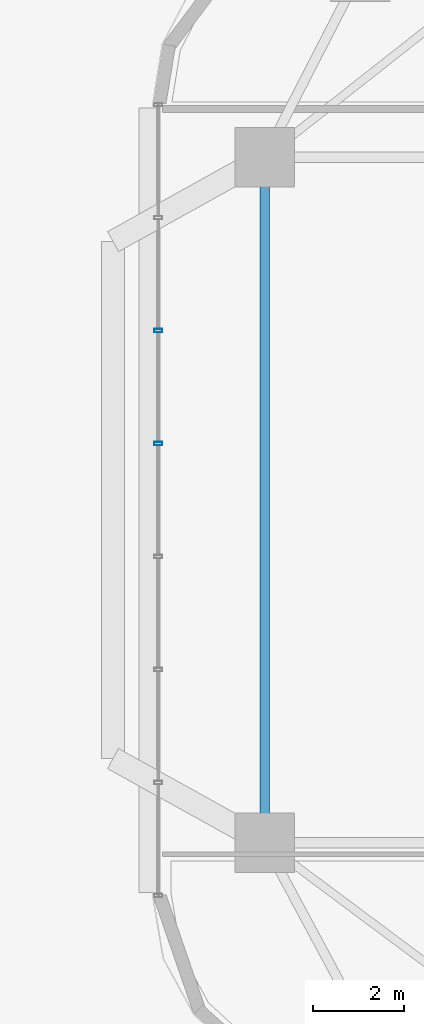
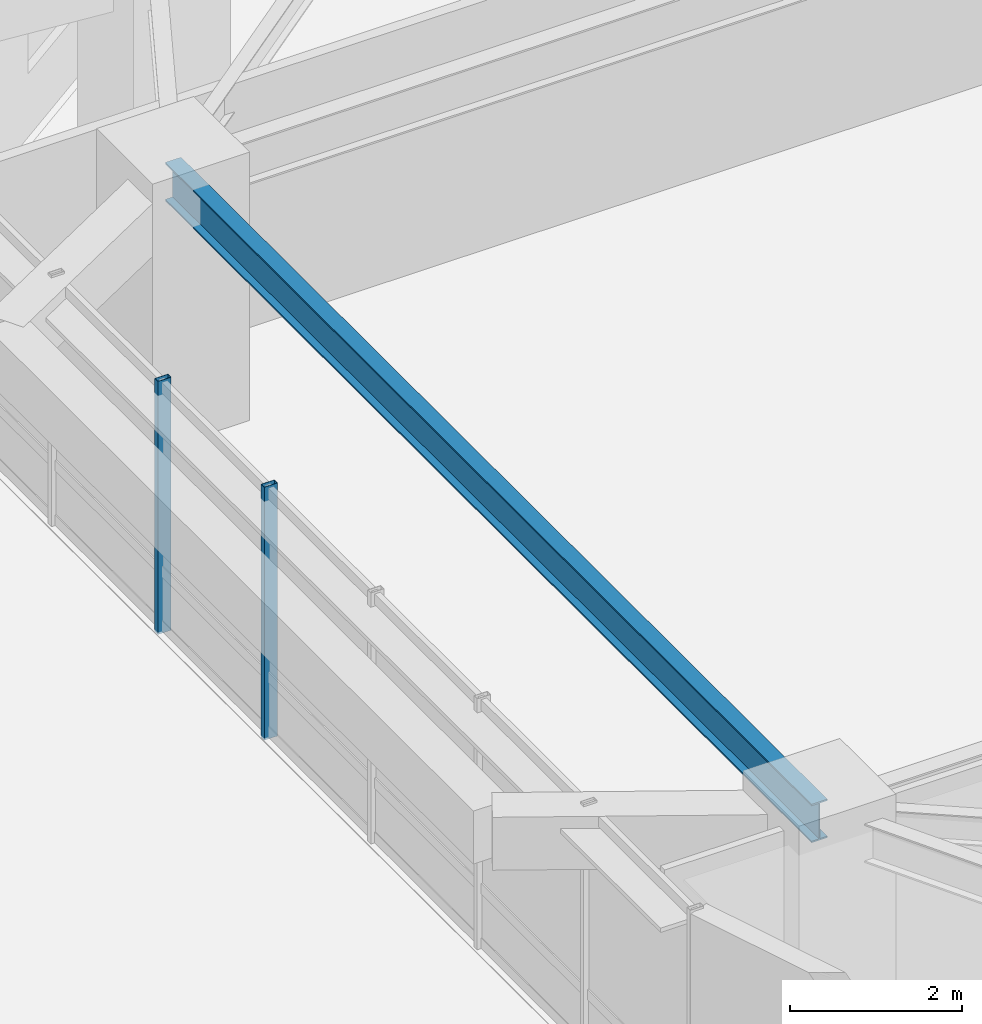
# One storey, part 4 of 20: 2 members, 1 beam, 1 element without a shape of its own.
"""IFC4 building model written with IfcOpenShell, lengths in metres."""

from ifc_helpers import new_model, si_unit, direction, frame, origin, origin_2d, place, context, subcontext, project, spatial, hollow_rectangle, i_section, extrude, material, material_profile, profile_set, type_object, element, aggregate, save


model = new_model("IFC4")

# Units and contexts
model_context = context("Model", 3, precision=1e-05, world=origin(), true_north=direction((0.0, 1.0)))
body_context = subcontext(model_context, "Body", "Model", "MODEL_VIEW")
ifc_project = project(units=[si_unit("LENGTHUNIT", "METRE"), si_unit("AREAUNIT", "SQUARE_METRE"), si_unit("VOLUMEUNIT", "CUBIC_METRE"), si_unit("PLANEANGLEUNIT", "RADIAN"), si_unit("MASSUNIT", "GRAM", prefix="KILO")], contexts=[model_context])

# Site, building, storey
site_placement = place(None, origin())
site = spatial("IfcSite", under=ifc_project, at=site_placement, CompositionType="ELEMENT")
building_placement = place(site_placement, origin())
building = spatial("IfcBuilding", under=site, at=building_placement, Name="Zulverin Broadcast Headquarters", CompositionType="ELEMENT")
storey_placement = place(building_placement, frame((0.0, 0.0, 25.0)))
storey = spatial("IfcBuildingStorey", under=building, at=storey_placement, Name="L05", CompositionType="ELEMENT", Elevation=25.0)

# Beam
ifc_material_1 = material(Name="Structural steel S355JR", Category="steel")
ifc_material_profile_1 = material_profile(ifc_material_1, i_section(OverallWidth=0.2119140625, OverallDepth=0.54443359375, WebThickness=0.0126953125, FlangeThickness=0.021240234375, at=origin_2d()), Name="Structural steel S355JR", Category="steel")
ifc_profile_set_1 = profile_set([ifc_material_profile_1], Name="Structural steel S355JR")
beam_type = type_object("IfcBeamType", Name="BM-UB-533", PredefinedType="SPANDREL", material=ifc_profile_set_1)
beam_placement = place(storey_placement, frame((11.85009765625, 32.298095703125, 3.252685546875), z_axis=(0.0, -1.0, 0.0), x_axis=(1.0, 0.0, 0.0)))
element("IfcBeam", 1, at=beam_placement, inside=storey, type_object=beam_type, Name="L05 Perimeter Spandrel Beam SP-13", PredefinedType="SPANDREL", context=body_context, shape_type="SweptSolid", body=[
    extrude(i_section(OverallWidth=0.2119140625, OverallDepth=0.54443359375, WebThickness=0.0126953125, FlangeThickness=0.021240234375, at=origin_2d()), origin(), (0.0, 0.0, 1.0), 15.00048828125),
])

# Curtain wall, members
ifc_material_2 = material(Name="Low-zone ribbon unitised curtain wall", Category="aluminium")
curtain_wall_type = type_object("IfcCurtainWallType", Name="CW-TWR-LOW", PredefinedType="USERDEFINED", material=ifc_material_2)
curtain_wall_placement = place(storey_placement, origin())
curtain_wall = element("IfcCurtainWall", 2, at=curtain_wall_placement, inside=storey, type_object=curtain_wall_type, Name="L05 Unitised Curtain Wall CW-L05-E7", ObjectType="UNITISED CURTAIN WALL", PredefinedType="USERDEFINED")
ifc_material_3 = material(Name="Anodized pale-metal aluminium alloy 6063-T6", Category="aluminium")
ifc_material_profile_2 = material_profile(ifc_material_3, hollow_rectangle(XDim=0.074951171875, YDim=0.179931640625, WallThickness=0.0048828125, at=origin_2d()), Name="Anodized pale-metal aluminium alloy 6063-T6", Category="aluminium")
ifc_profile_set_2 = profile_set([ifc_material_profile_2], Name="Anodized pale-metal aluminium alloy 6063-T6")
member_type = type_object("IfcMemberType", Name="CW-MUL-180", PredefinedType="MULLION", material=ifc_profile_set_2)
member_1_placement = place(storey_placement, frame((9.52001953125, 28.501220703125, -0.030029296875), z_axis=(0.0, 0.0, 1.0), x_axis=(0.0, -1.0, 0.0)))
member_1 = element("IfcMember", 3, at=member_1_placement, type_object=member_type, Name="CW-L05-E7 Mullion 02", PredefinedType="MULLION", context=body_context, shape_type="SweptSolid", body=[
    extrude(hollow_rectangle(XDim=0.074951171875, YDim=0.179931640625, WallThickness=0.0048828125, at=origin_2d()), origin(), (0.0, 0.0, 1.0), 3.5849609375),
])
member_2_placement = place(storey_placement, frame((9.52001953125, 26.02978515625, -0.030029296875), z_axis=(0.0, 0.0, 1.0), x_axis=(0.0, -1.0, 0.0)))
member_2 = element("IfcMember", 4, at=member_2_placement, type_object=member_type, Name="CW-L05-E7 Mullion 03", PredefinedType="MULLION", context=body_context, shape_type="SweptSolid", body=[
    extrude(hollow_rectangle(XDim=0.074951171875, YDim=0.179931640625, WallThickness=0.0048828125, at=origin_2d()), origin(), (0.0, 0.0, 1.0), 3.5849609375),
])
aggregate(curtain_wall, [member_1, member_2])

save(model, "model.ifc")
